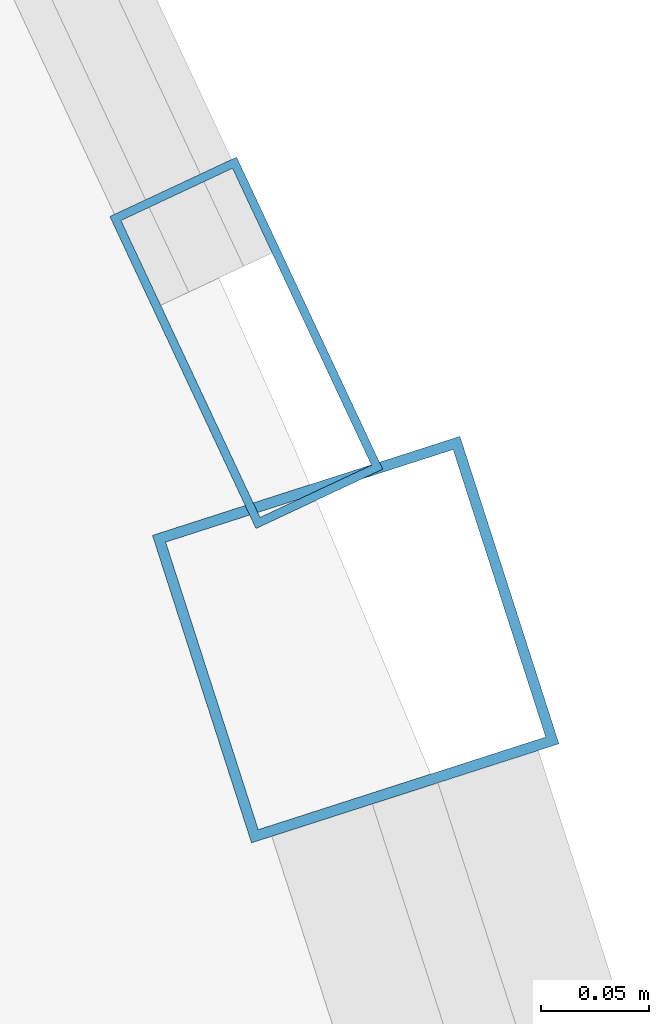
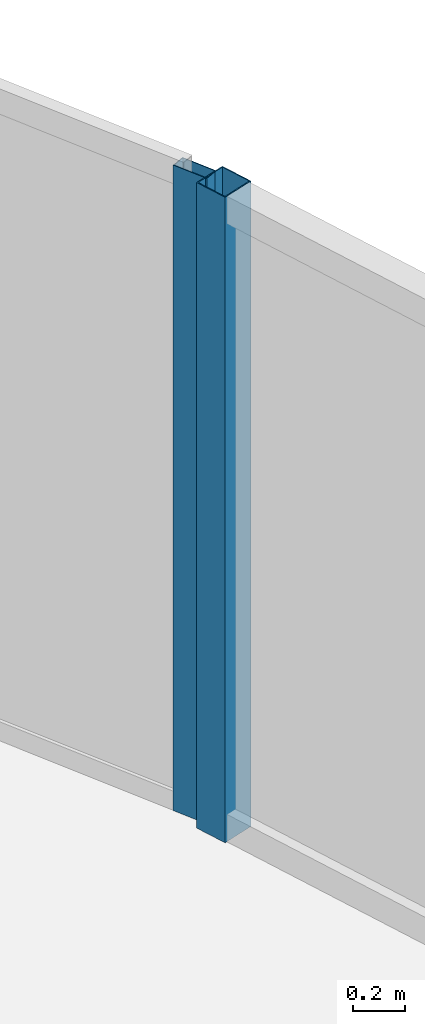
# One storey, part 17 of 32: 2 members, 2 elements without a shape of their own.
"""IFC4 building model written with IfcOpenShell, lengths in metres."""

from ifc_helpers import new_model, si_unit, direction, frame, origin, origin_2d, place, context, subcontext, project, spatial, hollow_rectangle, extrude, material, layer, layer_set, material_profile, profile_set, type_object, element, aggregate, save


model = new_model("IFC4")

# Units and contexts
model_context = context("Model", 3, precision=1e-05, world=origin(), true_north=direction((0.0, 1.0)))
body_context = subcontext(model_context, "Body", "Model", "MODEL_VIEW")
ifc_project = project(units=[si_unit("LENGTHUNIT", "METRE"), si_unit("AREAUNIT", "SQUARE_METRE"), si_unit("VOLUMEUNIT", "CUBIC_METRE"), si_unit("PLANEANGLEUNIT", "RADIAN"), si_unit("MASSUNIT", "GRAM", prefix="KILO")], contexts=[model_context])

# Site, building, storey
site_placement = place(None, origin())
site = spatial("IfcSite", under=ifc_project, at=site_placement, CompositionType="ELEMENT")
building_placement = place(site_placement, origin())
building = spatial("IfcBuilding", under=site, at=building_placement, Name="Orvanel Arch Residences", CompositionType="ELEMENT")
storey_placement = place(building_placement, frame((0.0, 0.0, 222.800048828125)))
storey = spatial("IfcBuildingStorey", under=building, at=storey_placement, Name="L63", CompositionType="ELEMENT", Elevation=222.800048828125)

# Curtain wall, member
ifc_material = material(Name="Bronze-anodised aluminium AA6063-T6", Category="aluminium")
ifc_layer_1 = layer(ifc_material, 0.18994140625)
ifc_layer_set_1 = layer_set([ifc_layer_1], Name="Bronze-anodised aluminium AA6063-T6")
curtain_wall_type_1 = type_object("IfcCurtainWallType", Name="CW5-CRN-SYS", PredefinedType="NOTDEFINED", material=ifc_layer_set_1)
curtain_wall_1_placement = place(storey_placement, origin())
curtain_wall_1 = element("IfcCurtainWall", 1, at=curtain_wall_1_placement, inside=storey, type_object=curtain_wall_type_1, Name="L63 CW5-CRN-SYS Unitised Curtain Wall", PredefinedType="NOTDEFINED")
ifc_material_profile_1 = material_profile(ifc_material, hollow_rectangle(XDim=0.14990234375, YDim=0.14990234375, WallThickness=0.0048828125, at=origin_2d()), Name="ALU150x150x5")
ifc_profile_set_1 = profile_set([ifc_material_profile_1], Name="Bronze-anodised aluminium AA6063-T6")
member_type_1 = type_object("IfcMemberType", Name="MUL-150x150", PredefinedType="MULLION", material=ifc_profile_set_1)
member_1_placement = place(storey_placement, frame((54.0810546875, 15.087646484375, 0.0), z_axis=(0.0, 0.0, 1.0), x_axis=(-0.951837092592, -0.306604222357, 0.0)))
member_1 = element("IfcMember", 2, at=member_1_placement, type_object=member_type_1, Name="CW-S5 mullion 2", PredefinedType="MULLION", context=body_context, shape_type="SweptSolid", body=[
    extrude(hollow_rectangle(XDim=0.14990234375, YDim=0.14990234375, WallThickness=0.0048828125, at=origin_2d()), origin(), (0.0, 0.0, 1.0), 3.06005859375),
])
aggregate(curtain_wall_1, [member_1])

ifc_layer_2 = layer(ifc_material, 0.175048828125)
ifc_layer_set_2 = layer_set([ifc_layer_2], Name="Bronze-anodised aluminium AA6063-T6")
curtain_wall_type_2 = type_object("IfcCurtainWallType", Name="CW4-HI-SYS", PredefinedType="NOTDEFINED", material=ifc_layer_set_2)
curtain_wall_2_placement = place(storey_placement, origin())
curtain_wall_2 = element("IfcCurtainWall", 3, at=curtain_wall_2_placement, inside=storey, type_object=curtain_wall_type_2, Name="L63 CW4-HI-SYS Unitised Curtain Wall", PredefinedType="NOTDEFINED")
ifc_material_profile_2 = material_profile(ifc_material, hollow_rectangle(XDim=0.06494140625, YDim=0.159912109375, WallThickness=0.00390625, at=origin_2d()), Name="ALU160x65x4")
ifc_profile_set_2 = profile_set([ifc_material_profile_2], Name="Bronze-anodised aluminium AA6063-T6")
member_type_2 = type_object("IfcMemberType", Name="MUL-160x65", PredefinedType="MULLION", material=ifc_profile_set_2)
member_2_placement = place(storey_placement, frame((54.0302734375, 15.225341796875, 0.0), z_axis=(0.0, 0.0, 1.0), x_axis=(-0.905611523567, -0.424108203626, 0.0)))
member_2 = element("IfcMember", 4, at=member_2_placement, type_object=member_type_2, Name="CW-S4 mullion 1", PredefinedType="MULLION", context=body_context, shape_type="SweptSolid", body=[
    extrude(hollow_rectangle(XDim=0.06494140625, YDim=0.159912109375, WallThickness=0.00390625, at=origin_2d()), origin(), (0.0, 0.0, 1.0), 3.06005859375),
])
aggregate(curtain_wall_2, [member_2])

save(model, "model.ifc")
